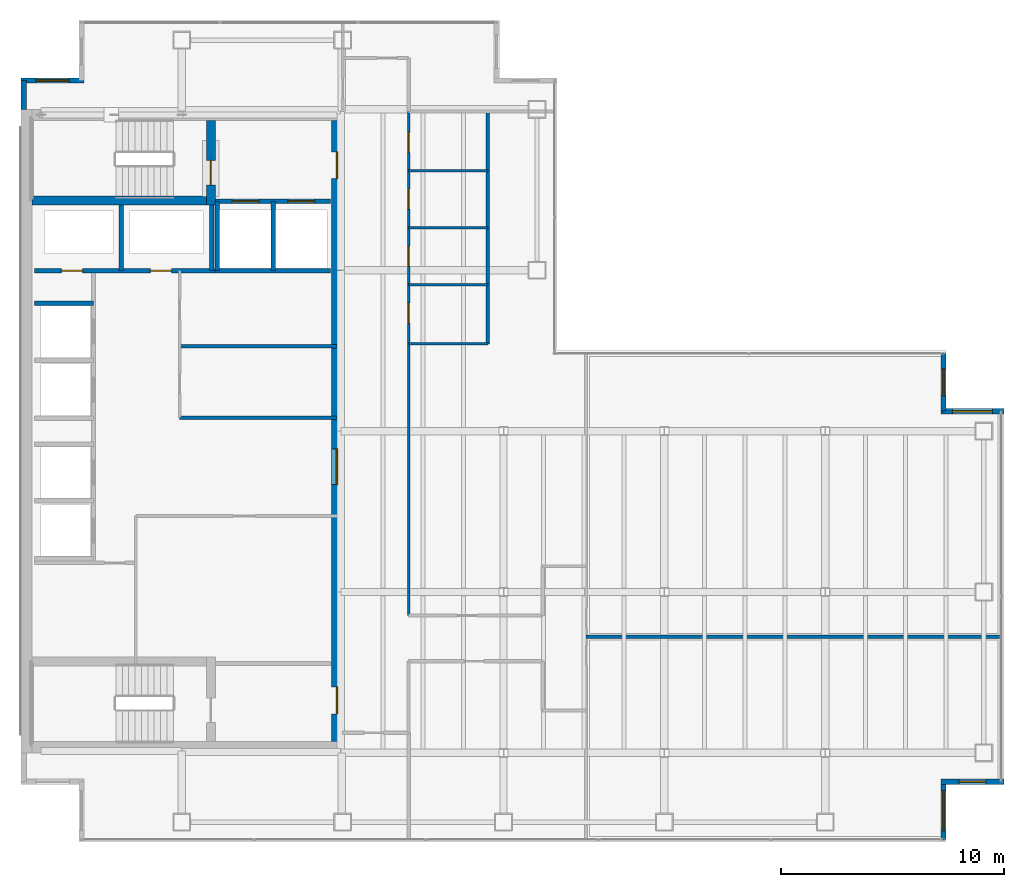
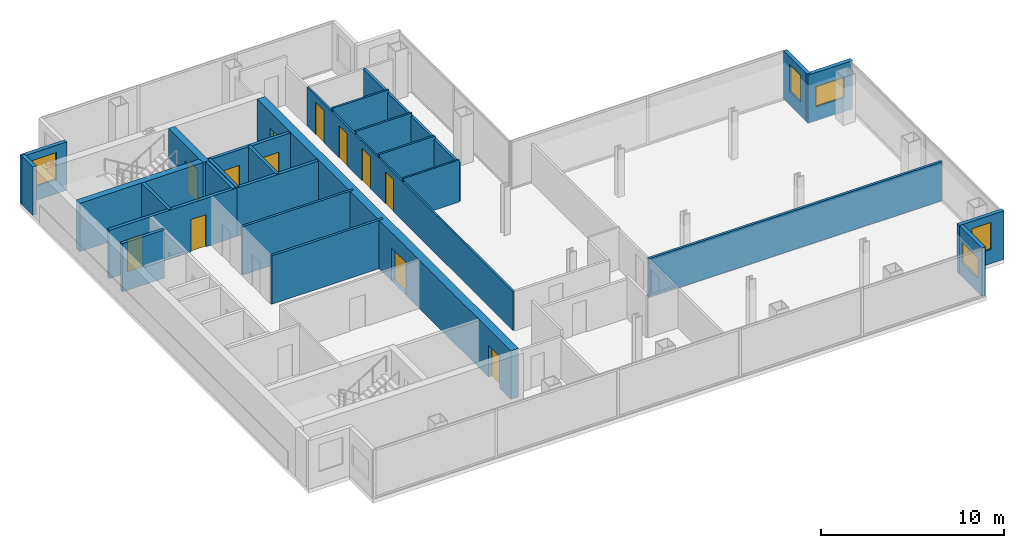
# One storey, part 21 of 23: 26 walls, 12 doors, 5 windows, 17 openings.
"""IFC4 building model written with IfcOpenShell, lengths in metres."""

from ifc_helpers import new_model, si_unit, direction, frame, frame_2d, origin, place, context, subcontext, project, spatial, rectangle, extrude, material, layer, layer_set, type_object, element, fill, save


model = new_model("IFC4")

# Units and contexts
model_context = context("Model", 3, precision=1e-05, world=origin(), true_north=direction((0.0, 1.0)))
body_context = subcontext(model_context, "Body", "Model", "MODEL_VIEW")
ifc_project = project(units=[si_unit("LENGTHUNIT", "METRE"), si_unit("AREAUNIT", "SQUARE_METRE"), si_unit("VOLUMEUNIT", "CUBIC_METRE"), si_unit("PLANEANGLEUNIT", "RADIAN"), si_unit("MASSUNIT", "GRAM", prefix="KILO")], contexts=[model_context])

# Site, building, storey
site_placement = place(None, origin())
site = spatial("IfcSite", under=ifc_project, at=site_placement, CompositionType="ELEMENT")
building_placement = place(site_placement, origin())
building = spatial("IfcBuilding", under=site, at=building_placement, Name="Cobrela Telecom Tower", CompositionType="ELEMENT")
storey_placement = place(building_placement, frame((0.0, 0.0, 197.75)))
storey = spatial("IfcBuildingStorey", under=building, at=storey_placement, Name="L50", CompositionType="ELEMENT", Elevation=197.75)

# Wall, openings, doors
ifc_material_1 = material(Name="Concrete C40/50", Category="concrete")
ifc_layer_1 = layer(ifc_material_1, 0.5)
ifc_layer_set_1 = layer_set([ifc_layer_1], Name="Concrete C40/50")
wall_type_1 = type_object("IfcWallType", Name="WALL-CORE-C40-500", PredefinedType="SHEAR", material=ifc_layer_set_1)
wall_1_placement = place(storey_placement, frame((14.14990234375, 35.5, 0.0), z_axis=(0.0, 0.0, 1.0), x_axis=(0.0, -1.0, 0.0)))
wall_1 = element("IfcWall", 1, at=wall_1_placement, inside=storey, type_object=wall_type_1, Name="L50 East Core Shear Wall", PredefinedType="SHEAR", context=body_context, shape_type="SweptSolid", body=[
    extrude(rectangle(XDim=27.800048828125, YDim=0.5, at=frame_2d((13.89990234375, 0.0))), origin(), (0.0, 0.0, 1.0), 3.239990234375),
])
opening_1_placement = place(wall_1_placement, frame((1.39990234375, 0.0, 0.0)))
opening_1 = element("IfcOpeningElement", 2, at=opening_1_placement, cuts=wall_1, Name="Opening DR-19", PredefinedType="OPENING", context=body_context, shape_type="SweptSolid", body=[
    extrude(rectangle(XDim=1.199951171875, YDim=2.14990234375, at=frame_2d((0.60009765625, 1.074951171875))), frame((0.0, 0.261962890625, 0.0), z_axis=(0.0, -1.0, 0.0), x_axis=(1.0, 0.0, 0.0)), (0.0, 0.0, 1.0), 0.52392578125),
])
opening_2_placement = place(wall_1_placement, frame((25.35009765625, 0.0, 0.0)))
opening_2 = element("IfcOpeningElement", 3, at=opening_2_placement, cuts=wall_1, Name="Opening DR-19", PredefinedType="OPENING", context=body_context, shape_type="SweptSolid", body=[
    extrude(rectangle(XDim=1.199951171875, YDim=2.14990234375, at=frame_2d((0.60009765625, 1.074951171875))), frame((0.0, 0.261962890625, 0.0), z_axis=(0.0, -1.0, 0.0), x_axis=(1.0, 0.0, 0.0)), (0.0, 0.0, 1.0), 0.52392578125),
])
opening_3_placement = place(wall_1_placement, frame((14.699951171875, 0.0, 0.0)))
opening_3 = element("IfcOpeningElement", 4, at=opening_3_placement, cuts=wall_1, Name="Opening DR-51", PredefinedType="OPENING", context=body_context, shape_type="SweptSolid", body=[
    extrude(rectangle(XDim=1.60009765625, YDim=2.199951171875, at=frame_2d((0.800048828125, 1.10009765625))), frame((0.0, 0.261962890625, 0.0), z_axis=(0.0, -1.0, 0.0), x_axis=(1.0, 0.0, 0.0)), (0.0, 0.0, 1.0), 0.52392578125),
])
ifc_material_2 = material(Name="Steel ASTM A36", Category="steel")
door_type_1 = type_object("IfcDoorType", Name="DOOR-FD60-1200", OperationType="SINGLE_SWING_LEFT", PredefinedType="DOOR", material=ifc_material_2)
door_1_placement = place(opening_1_placement, origin())
door_1 = element("IfcDoor", 5, at=door_1_placement, inside=storey, type_object=door_type_1, Name="L50 Door DR-19", OperationType="SINGLE_SWING_LEFT", OverallHeight=2.14990234375, OverallWidth=1.199951171875, PredefinedType="DOOR", context=body_context, shape_type="SweptSolid", body=[
    extrude(rectangle(XDim=1.199951171875, YDim=2.14990234375, at=frame_2d((0.60009765625, 1.074951171875))), frame((0.0, 0.02490234375, 0.0), z_axis=(0.0, -1.0, 0.0), x_axis=(1.0, 0.0, 0.0)), (0.0, 0.0, 1.0), 0.050048828125),
])
fill(opening_1, door_1)
door_2_placement = place(opening_2_placement, origin())
door_2 = element("IfcDoor", 6, at=door_2_placement, inside=storey, type_object=door_type_1, Name="L50 Door DR-19", OperationType="SINGLE_SWING_RIGHT", OverallHeight=2.14990234375, OverallWidth=1.199951171875, PredefinedType="DOOR", context=body_context, shape_type="SweptSolid", body=[
    extrude(rectangle(XDim=1.199951171875, YDim=2.14990234375, at=frame_2d((0.60009765625, 1.074951171875))), frame((0.0, 0.02490234375, 0.0), z_axis=(0.0, -1.0, 0.0), x_axis=(1.0, 0.0, 0.0)), (0.0, 0.0, 1.0), 0.050048828125),
])
fill(opening_2, door_2)
door_type_2 = type_object("IfcDoorType", Name="DOOR-FD60-1600", OperationType="SINGLE_SWING_LEFT", PredefinedType="DOOR", material=ifc_material_2)
door_3_placement = place(opening_3_placement, origin())
door_3 = element("IfcDoor", 7, at=door_3_placement, inside=storey, type_object=door_type_2, Name="L50 Door DR-51", OperationType="DOUBLE_DOOR_SINGLE_SWING", OverallHeight=2.199951171875, OverallWidth=1.60009765625, PredefinedType="DOOR", context=body_context, shape_type="SweptSolid", body=[
    extrude(rectangle(XDim=1.60009765625, YDim=2.199951171875, at=frame_2d((0.800048828125, 1.10009765625))), frame((0.0, 0.02490234375, 0.0), z_axis=(0.0, -1.0, 0.0), x_axis=(1.0, 0.0, 0.0)), (0.0, 0.0, 1.0), 0.050048828125),
])
fill(opening_3, door_3)

# Wall
ifc_layer_2 = layer(ifc_material_1, 0.239990234375)
ifc_layer_set_2 = layer_set([ifc_layer_2], Name="Concrete C40/50")
wall_type_2 = type_object("IfcWallType", Name="WALL-EXT-300", PredefinedType="STANDARD", material=ifc_layer_set_2)
wall_2_placement = place(storey_placement, frame((0.1201171875, 36.0, 0.0), z_axis=(0.0, 0.0, 1.0), x_axis=(0.0, 1.0, 0.0)))
element("IfcWall", 8, at=wall_2_placement, inside=storey, type_object=wall_type_2, Name="L50 Insulated Facade Wall 04", PredefinedType="STANDARD", context=body_context, shape_type="SweptSolid", body=[
    extrude(rectangle(XDim=1.2900390625, YDim=0.239990234375, at=frame_2d((0.64501953125, 0.0))), origin(), (0.0, 0.0, 1.0), 3.239990234375),
])

# Wall, opening, window
wall_3_placement = place(storey_placement, frame((0.0, 37.2900390625, 0.0), z_axis=(0.0, 0.0, 1.0), x_axis=(1.0, 0.0, 0.0)))
wall_3 = element("IfcWall", 9, at=wall_3_placement, inside=storey, type_object=wall_type_2, Name="L50 Insulated Facade Wall 05", PredefinedType="STANDARD", context=body_context, shape_type="SweptSolid", body=[
    extrude(rectangle(XDim=2.830078125, YDim=0.239990234375, at=frame_2d((1.4150390625, 0.0))), origin(), (0.0, 0.0, 1.0), 3.239990234375),
])
opening_4_placement = place(wall_3_placement, frame((0.6650390625, 0.0, 0.949951171875)))
opening_4 = element("IfcOpeningElement", 10, at=opening_4_placement, cuts=wall_3, Name="Opening WN-45", PredefinedType="OPENING", context=body_context, shape_type="SweptSolid", body=[
    extrude(rectangle(XDim=1.5, YDim=1.800048828125, at=frame_2d((0.75, 0.89990234375))), frame((0.0, 0.1318359375, 0.0), z_axis=(0.0, -1.0, 0.0), x_axis=(1.0, 0.0, 0.0)), (0.0, 0.0, 1.0), 0.263916015625),
])
ifc_material_3 = material(Name="Solar-Control Bronze Low-E Glass", Category="glass")
window_type_1 = type_object("IfcWindowType", Name="WIN-MOD-1500", PartitioningType="SINGLE_PANEL", PredefinedType="WINDOW", material=ifc_material_3)
window_1_placement = place(opening_4_placement, origin())
window_1 = element("IfcWindow", 11, at=window_1_placement, inside=storey, type_object=window_type_1, Name="L50 Corner Notch Facade Window 241", OverallHeight=1.800048828125, OverallWidth=1.5, PartitioningType="SINGLE_PANEL", PredefinedType="WINDOW", context=body_context, shape_type="SweptSolid", body=[
    extrude(rectangle(XDim=1.5, YDim=1.800048828125, at=frame_2d((0.75, 0.89990234375))), frame((0.0, 0.030029296875, 0.0), z_axis=(0.0, -1.0, 0.0), x_axis=(1.0, 0.0, 0.0)), (0.0, 0.0, 1.0), 0.06005859375),
])
fill(opening_4, window_1)

wall_4_placement = place(storey_placement, frame((41.2900390625, 25.080078125, 0.0), z_axis=(0.0, 0.0, 1.0), x_axis=(0.0, -1.0, 0.0)))
wall_4 = element("IfcWall", 12, at=wall_4_placement, inside=storey, type_object=wall_type_2, Name="L50 Insulated Facade Wall 12", PredefinedType="STANDARD", context=body_context, shape_type="SweptSolid", body=[
    extrude(rectangle(XDim=2.590087890625, YDim=0.239990234375, at=frame_2d((1.294921875, 0.0))), origin(), (0.0, 0.0, 1.0), 3.239990234375),
])
opening_5_placement = place(wall_4_placement, frame((0.695068359375, 0.0, 0.949951171875)))
opening_5 = element("IfcOpeningElement", 13, at=opening_5_placement, cuts=wall_4, Name="Opening WN-19", PredefinedType="OPENING", context=body_context, shape_type="SweptSolid", body=[
    extrude(rectangle(XDim=1.199951171875, YDim=1.800048828125, at=frame_2d((0.60009765625, 0.89990234375))), frame((0.0, 0.1318359375, 0.0), z_axis=(0.0, -1.0, 0.0), x_axis=(1.0, 0.0, 0.0)), (0.0, 0.0, 1.0), 0.263916015625),
])
window_type_2 = type_object("IfcWindowType", Name="WIN-MOD-1200", PartitioningType="SINGLE_PANEL", PredefinedType="WINDOW", material=ifc_material_3)
window_2_placement = place(opening_5_placement, origin())
window_2 = element("IfcWindow", 14, at=window_2_placement, inside=storey, type_object=window_type_2, Name="L50 Corner Notch Facade Window 245", OverallHeight=1.800048828125, OverallWidth=1.199951171875, PartitioningType="SINGLE_PANEL", PredefinedType="WINDOW", context=body_context, shape_type="SweptSolid", body=[
    extrude(rectangle(XDim=1.199951171875, YDim=1.800048828125, at=frame_2d((0.60009765625, 0.89990234375))), frame((0.0, 0.030029296875, 0.0), z_axis=(0.0, -1.0, 0.0), x_axis=(1.0, 0.0, 0.0)), (0.0, 0.0, 1.0), 0.06005859375),
])
fill(opening_5, window_2)

wall_5_placement = place(storey_placement, frame((41.169921875, 22.489990234375, 0.0), z_axis=(0.0, 0.0, 1.0), x_axis=(1.0, 0.0, 0.0)))
wall_5 = element("IfcWall", 15, at=wall_5_placement, inside=storey, type_object=wall_type_2, Name="L50 Insulated Facade Wall 13", PredefinedType="STANDARD", context=body_context, shape_type="SweptSolid", body=[
    extrude(rectangle(XDim=2.830078125, YDim=0.239990234375, at=frame_2d((1.4150390625, 0.0))), origin(), (0.0, 0.0, 1.0), 3.239990234375),
])
opening_6_placement = place(wall_5_placement, frame((0.514892578125, 0.0, 0.949951171875)))
opening_6 = element("IfcOpeningElement", 16, at=opening_6_placement, cuts=wall_5, Name="Opening WN-27", PredefinedType="OPENING", context=body_context, shape_type="SweptSolid", body=[
    extrude(rectangle(XDim=1.800048828125, YDim=1.35009765625, at=frame_2d((0.89990234375, 0.675048828125))), frame((0.0, 0.1318359375, 0.0), z_axis=(0.0, -1.0, 0.0), x_axis=(1.0, 0.0, 0.0)), (0.0, 0.0, 1.0), 0.263916015625),
])
window_type_3 = type_object("IfcWindowType", Name="WIN-CLER-1800", PartitioningType="SINGLE_PANEL", PredefinedType="WINDOW", material=ifc_material_3)
window_3_placement = place(opening_6_placement, origin())
window_3 = element("IfcWindow", 17, at=window_3_placement, inside=storey, type_object=window_type_3, Name="L50 Corner Notch Facade Window 246", OverallHeight=1.35009765625, OverallWidth=1.800048828125, PartitioningType="SINGLE_PANEL", PredefinedType="WINDOW", context=body_context, shape_type="SweptSolid", body=[
    extrude(rectangle(XDim=1.800048828125, YDim=1.35009765625, at=frame_2d((0.89990234375, 0.675048828125))), frame((0.0, 0.030029296875, 0.0), z_axis=(0.0, -1.0, 0.0), x_axis=(1.0, 0.0, 0.0)), (0.0, 0.0, 1.0), 0.06005859375),
])
fill(opening_6, window_3)

wall_6_placement = place(storey_placement, frame((44.0, 5.909912109375, 0.0), z_axis=(0.0, 0.0, 1.0), x_axis=(-1.0, 0.0, 0.0)))
wall_6 = element("IfcWall", 18, at=wall_6_placement, inside=storey, type_object=wall_type_2, Name="L50 Insulated Facade Wall 15", PredefinedType="STANDARD", context=body_context, shape_type="SweptSolid", body=[
    extrude(rectangle(XDim=2.830078125, YDim=0.239990234375, at=frame_2d((1.4150390625, 0.0))), origin(), (0.0, 0.0, 1.0), 3.239990234375),
])
opening_7_placement = place(wall_6_placement, frame((0.81494140625, 0.0, 0.949951171875)))
opening_7 = element("IfcOpeningElement", 19, at=opening_7_placement, cuts=wall_6, Name="Opening WN-19", PredefinedType="OPENING", context=body_context, shape_type="SweptSolid", body=[
    extrude(rectangle(XDim=1.199951171875, YDim=1.800048828125, at=frame_2d((0.60009765625, 0.89990234375))), frame((0.0, 0.1318359375, 0.0), z_axis=(0.0, -1.0, 0.0), x_axis=(1.0, 0.0, 0.0)), (0.0, 0.0, 1.0), 0.263916015625),
])
window_4_placement = place(opening_7_placement, origin())
window_4 = element("IfcWindow", 20, at=window_4_placement, inside=storey, type_object=window_type_2, Name="L50 Corner Notch Facade Window 247", OverallHeight=1.800048828125, OverallWidth=1.199951171875, PartitioningType="SINGLE_PANEL", PredefinedType="WINDOW", context=body_context, shape_type="SweptSolid", body=[
    extrude(rectangle(XDim=1.199951171875, YDim=1.800048828125, at=frame_2d((0.60009765625, 0.89990234375))), frame((0.0, 0.030029296875, 0.0), z_axis=(0.0, -1.0, 0.0), x_axis=(1.0, 0.0, 0.0)), (0.0, 0.0, 1.0), 0.06005859375),
])
fill(opening_7, window_4)

wall_7_placement = place(storey_placement, frame((41.2900390625, 5.909912109375, 0.0), z_axis=(0.0, 0.0, 1.0), x_axis=(0.0, -1.0, 0.0)))
wall_7 = element("IfcWall", 21, at=wall_7_placement, inside=storey, type_object=wall_type_2, Name="L50 Insulated Facade Wall 16", PredefinedType="STANDARD", context=body_context, shape_type="SweptSolid", body=[
    extrude(rectangle(XDim=2.58984375, YDim=0.239990234375, at=frame_2d((1.294921875, 0.0))), origin(), (0.0, 0.0, 1.0), 3.239990234375),
])
opening_8_placement = place(wall_7_placement, frame((0.39501953125, 0.0, 0.949951171875)))
opening_8 = element("IfcOpeningElement", 22, at=opening_8_placement, cuts=wall_7, Name="Opening WN-27", PredefinedType="OPENING", context=body_context, shape_type="SweptSolid", body=[
    extrude(rectangle(XDim=1.800048828125, YDim=1.35009765625, at=frame_2d((0.89990234375, 0.675048828125))), frame((0.0, 0.1318359375, 0.0), z_axis=(0.0, -1.0, 0.0), x_axis=(1.0, 0.0, 0.0)), (0.0, 0.0, 1.0), 0.263916015625),
])
window_5_placement = place(opening_8_placement, origin())
window_5 = element("IfcWindow", 23, at=window_5_placement, inside=storey, type_object=window_type_3, Name="L50 Corner Notch Facade Window 248", OverallHeight=1.35009765625, OverallWidth=1.800048828125, PartitioningType="SINGLE_PANEL", PredefinedType="WINDOW", context=body_context, shape_type="SweptSolid", body=[
    extrude(rectangle(XDim=1.800048828125, YDim=1.35009765625, at=frame_2d((0.89990234375, 0.675048828125))), frame((0.0, 0.030029296875, 0.0), z_axis=(0.0, -1.0, 0.0), x_axis=(1.0, 0.0, 0.0)), (0.0, 0.0, 1.0), 0.06005859375),
])
fill(opening_8, window_5)

# Wall, openings, doors
ifc_material_4 = material(Name="Fire-Rated Gypsum Plasterboard")
ifc_layer_3 = layer(ifc_material_4, 0.110107421875)
ifc_layer_set_3 = layer_set([ifc_layer_3], Name="Fire-Rated Gypsum Plasterboard")
wall_type_3 = type_object("IfcWallType", Name="WALL-PART-110", PredefinedType="PARTITIONING", material=ifc_layer_set_3)
wall_8_placement = place(storey_placement, frame((17.35009765625, 13.35009765625, 0.0), z_axis=(0.0, 0.0, 1.0), x_axis=(0.0, 1.0, 0.0)))
wall_8 = element("IfcWall", 24, at=wall_8_placement, inside=storey, type_object=wall_type_3, Name="L50 Interior Partition W-C-E2", PredefinedType="PARTITIONING", context=body_context, shape_type="SweptSolid", body=[
    extrude(rectangle(XDim=22.5498046875, YDim=0.110107421875, at=frame_2d((11.27490234375, 0.0))), origin(), (0.0, 0.0, 1.0), 2.613037109375),
])
opening_9_placement = place(wall_8_placement, frame((13.080078125, 0.0, 0.0)))
opening_9 = element("IfcOpeningElement", 25, at=opening_9_placement, cuts=wall_8, Name="Opening DR-41", PredefinedType="OPENING", context=body_context, shape_type="SweptSolid", body=[
    extrude(rectangle(XDim=0.89990234375, YDim=2.14990234375, at=frame_2d((0.449951171875, 1.074951171875))), frame((0.0, 0.06689453125, 0.0), z_axis=(0.0, -1.0, 0.0), x_axis=(1.0, 0.0, 0.0)), (0.0, 0.0, 1.0), 0.134033203125),
])
opening_10_placement = place(wall_8_placement, frame((15.6298828125, 0.0, 0.0)))
opening_10 = element("IfcOpeningElement", 26, at=opening_10_placement, cuts=wall_8, Name="Opening DR-41", PredefinedType="OPENING", context=body_context, shape_type="SweptSolid", body=[
    extrude(rectangle(XDim=0.89990234375, YDim=2.14990234375, at=frame_2d((0.449951171875, 1.074951171875))), frame((0.0, 0.06689453125, 0.0), z_axis=(0.0, -1.0, 0.0), x_axis=(1.0, 0.0, 0.0)), (0.0, 0.0, 1.0), 0.134033203125),
])
opening_11_placement = place(wall_8_placement, frame((18.179931640625, 0.0, 0.0)))
opening_11 = element("IfcOpeningElement", 27, at=opening_11_placement, cuts=wall_8, Name="Opening DR-41", PredefinedType="OPENING", context=body_context, shape_type="SweptSolid", body=[
    extrude(rectangle(XDim=0.89990234375, YDim=2.14990234375, at=frame_2d((0.449951171875, 1.074951171875))), frame((0.0, 0.06689453125, 0.0), z_axis=(0.0, -1.0, 0.0), x_axis=(1.0, 0.0, 0.0)), (0.0, 0.0, 1.0), 0.134033203125),
])
opening_12_placement = place(wall_8_placement, frame((20.719970703125, 0.0, 0.0)))
opening_12 = element("IfcOpeningElement", 28, at=opening_12_placement, cuts=wall_8, Name="Opening DR-41", PredefinedType="OPENING", context=body_context, shape_type="SweptSolid", body=[
    extrude(rectangle(XDim=0.89990234375, YDim=2.14990234375, at=frame_2d((0.449951171875, 1.074951171875))), frame((0.0, 0.06689453125, 0.0), z_axis=(0.0, -1.0, 0.0), x_axis=(1.0, 0.0, 0.0)), (0.0, 0.0, 1.0), 0.134033203125),
])
ifc_material_5 = material(Name="Solid Engineered Oak Timber", Category="wood")
door_type_3 = type_object("IfcDoorType", Name="DOOR-INT-900", OperationType="SINGLE_SWING_LEFT", PredefinedType="DOOR", material=ifc_material_5)
door_4_placement = place(opening_9_placement, origin())
door_4 = element("IfcDoor", 29, at=door_4_placement, inside=storey, type_object=door_type_3, Name="L50 Door DR-41", OperationType="SINGLE_SWING_LEFT", OverallHeight=2.14990234375, OverallWidth=0.89990234375, PredefinedType="DOOR", context=body_context, shape_type="SweptSolid", body=[
    extrude(rectangle(XDim=0.89990234375, YDim=2.14990234375, at=frame_2d((0.449951171875, 1.074951171875))), frame((0.0, 0.02490234375, 0.0), z_axis=(0.0, -1.0, 0.0), x_axis=(1.0, 0.0, 0.0)), (0.0, 0.0, 1.0), 0.050048828125),
])
fill(opening_9, door_4)
door_5_placement = place(opening_10_placement, origin())
door_5 = element("IfcDoor", 30, at=door_5_placement, inside=storey, type_object=door_type_3, Name="L50 Door DR-41", OperationType="SINGLE_SWING_RIGHT", OverallHeight=2.14990234375, OverallWidth=0.89990234375, PredefinedType="DOOR", context=body_context, shape_type="SweptSolid", body=[
    extrude(rectangle(XDim=0.89990234375, YDim=2.14990234375, at=frame_2d((0.449951171875, 1.074951171875))), frame((0.0, 0.02490234375, 0.0), z_axis=(0.0, -1.0, 0.0), x_axis=(1.0, 0.0, 0.0)), (0.0, 0.0, 1.0), 0.050048828125),
])
fill(opening_10, door_5)
door_6_placement = place(opening_11_placement, origin())
door_6 = element("IfcDoor", 31, at=door_6_placement, inside=storey, type_object=door_type_3, Name="L50 Door DR-41", OperationType="SINGLE_SWING_LEFT", OverallHeight=2.14990234375, OverallWidth=0.89990234375, PredefinedType="DOOR", context=body_context, shape_type="SweptSolid", body=[
    extrude(rectangle(XDim=0.89990234375, YDim=2.14990234375, at=frame_2d((0.449951171875, 1.074951171875))), frame((0.0, 0.02490234375, 0.0), z_axis=(0.0, -1.0, 0.0), x_axis=(1.0, 0.0, 0.0)), (0.0, 0.0, 1.0), 0.050048828125),
])
fill(opening_11, door_6)
door_7_placement = place(opening_12_placement, origin())
door_7 = element("IfcDoor", 32, at=door_7_placement, inside=storey, type_object=door_type_3, Name="L50 Door DR-41", OperationType="SINGLE_SWING_RIGHT", OverallHeight=2.14990234375, OverallWidth=0.89990234375, PredefinedType="DOOR", context=body_context, shape_type="SweptSolid", body=[
    extrude(rectangle(XDim=0.89990234375, YDim=2.14990234375, at=frame_2d((0.449951171875, 1.074951171875))), frame((0.0, 0.02490234375, 0.0), z_axis=(0.0, -1.0, 0.0), x_axis=(1.0, 0.0, 0.0)), (0.0, 0.0, 1.0), 0.050048828125),
])
fill(opening_12, door_7)

# Walls
wall_9_placement = place(storey_placement, frame((17.35009765625, 25.5, 0.0), z_axis=(0.0, 0.0, 1.0), x_axis=(1.0, 0.0, 0.0)))
element("IfcWall", 33, at=wall_9_placement, inside=storey, type_object=wall_type_3, Name="L50 Interior Partition W-WC-S", PredefinedType="PARTITIONING", context=body_context, shape_type="SweptSolid", body=[
    extrude(rectangle(XDim=3.5498046875, YDim=0.110107421875, at=frame_2d((1.77490234375, 0.0))), origin(), (0.0, 0.0, 1.0), 2.80810546875),
])
ifc_layer_4 = layer(ifc_material_4, 0.125)
ifc_layer_set_4 = layer_set([ifc_layer_4], Name="Fire-Rated Gypsum Plasterboard")
wall_type_4 = type_object("IfcWallType", Name="WALL-PART-125", PredefinedType="PARTITIONING", material=ifc_layer_set_4)
for number, where, z_axis, x_axis, name in (
    (34, (17.35009765625, 28.14990234375, 0.0), (0.0, 0.0, 1.0), (1.0, 0.0, 0.0), "L50 Interior Partition W-WCD-1"),
    (35, (17.35009765625, 30.699951171875, 0.0), (0.0, 0.0, 1.0), (1.0, 0.0, 0.0), "L50 Interior Partition W-WCD-2"),
    (36, (17.35009765625, 33.25, 0.0), (0.0, 0.0, 1.0), (1.0, 0.0, 0.0), "L50 Interior Partition W-WCD-3"),
):
    element("IfcWall", number, at=place(storey_placement, frame(where, z_axis=z_axis, x_axis=x_axis)), inside=storey, type_object=wall_type_4, Name=name, PredefinedType="PARTITIONING", context=body_context, shape_type="SweptSolid", body=[
        extrude(rectangle(XDim=3.5498046875, YDim=0.125, at=frame_2d((1.77490234375, 0.0))), origin(), (0.0, 0.0, 1.0), 2.80810546875),
    ])
ifc_layer_5 = layer(ifc_material_4, 0.14990234375)
ifc_layer_set_5 = layer_set([ifc_layer_5], Name="Fire-Rated Gypsum Plasterboard")
wall_type_5 = type_object("IfcWallType", Name="WALL-PART-150", PredefinedType="PARTITIONING", material=ifc_layer_set_5)
wall_10_placement = place(storey_placement, frame((7.10009765625, 25.39990234375, 0.0), z_axis=(0.0, 0.0, 1.0), x_axis=(1.0, 0.0, 0.0)))
element("IfcWall", 37, at=wall_10_placement, inside=storey, type_object=wall_type_5, Name="L50 Interior Partition CW-RECL-H", PredefinedType="PARTITIONING", context=body_context, shape_type="SweptSolid", body=[
    extrude(rectangle(XDim=7.0498046875, YDim=0.14990234375, at=frame_2d((3.52490234375, 0.0))), origin(), (0.0, 0.0, 1.0), 3.239990234375),
])
wall_11_placement = place(storey_placement, frame((25.300048828125, 12.39990234375, 0.0), z_axis=(0.0, 0.0, 1.0), x_axis=(1.0, 0.0, 0.0)))
element("IfcWall", 38, at=wall_11_placement, inside=storey, type_object=wall_type_5, Name="L50 Interior Partition W-FE-H", PredefinedType="PARTITIONING", context=body_context, shape_type="SweptSolid", body=[
    extrude(rectangle(XDim=18.579833984375, YDim=0.14990234375, at=frame_2d((9.2900390625, 0.0))), origin(), (0.0, 0.0, 1.0), 2.613037109375),
])
ifc_layer_6 = layer(ifc_material_4, 0.159912109375)
ifc_layer_set_6 = layer_set([ifc_layer_6], Name="Fire-Rated Gypsum Plasterboard")
wall_type_6 = type_object("IfcWallType", Name="WALL-PART-160", PredefinedType="PARTITIONING", material=ifc_layer_set_6)
wall_12_placement = place(storey_placement, frame((7.10009765625, 22.199951171875, 0.0), z_axis=(0.0, 0.0, 1.0), x_axis=(1.0, 0.0, 0.0)))
element("IfcWall", 39, at=wall_12_placement, inside=storey, type_object=wall_type_6, Name="L50 Interior Partition CW-RECL-S", PredefinedType="PARTITIONING", context=body_context, shape_type="SweptSolid", body=[
    extrude(rectangle(XDim=7.0498046875, YDim=0.159912109375, at=frame_2d((3.52490234375, 0.0))), origin(), (0.0, 0.0, 1.0), 3.239990234375),
])
wall_13_placement = place(storey_placement, frame((20.89990234375, 25.5, 0.0), z_axis=(0.0, 0.0, 1.0), x_axis=(0.0, 1.0, 0.0)))
element("IfcWall", 40, at=wall_13_placement, inside=storey, type_object=wall_type_6, Name="L50 Interior Partition W-WC-E", PredefinedType="PARTITIONING", context=body_context, shape_type="SweptSolid", body=[
    extrude(rectangle(XDim=10.39990234375, YDim=0.159912109375, at=frame_2d((5.199951171875, 0.0))), origin(), (0.0, 0.0, 1.0), 2.613037109375),
])

# Wall, openings, doors
ifc_layer_7 = layer(ifc_material_4, 0.199951171875)
ifc_layer_set_7 = layer_set([ifc_layer_7], Name="Fire-Rated Gypsum Plasterboard")
wall_type_7 = type_object("IfcWallType", Name="WALL-SHAFT-200", PredefinedType="PARTITIONING", material=ifc_layer_set_7)
wall_14_placement = place(storey_placement, frame((8.699951171875, 31.8798828125, 0.0), z_axis=(0.0, 0.0, 1.0), x_axis=(1.0, 0.0, 0.0)))
wall_14 = element("IfcWall", 41, at=wall_14_placement, inside=storey, type_object=wall_type_7, Name="L50 Shaft Enclosure CW-FFL-S", PredefinedType="PARTITIONING", context=body_context, shape_type="SweptSolid", body=[
    extrude(rectangle(XDim=5.150146484375, YDim=0.199951171875, at=frame_2d((2.5751953125, 0.0))), origin(), (0.0, 0.0, 1.0), 3.239990234375),
])
opening_13_placement = place(wall_14_placement, frame((0.75, 0.0, 0.0)))
opening_13 = element("IfcOpeningElement", 42, at=opening_13_placement, cuts=wall_14, Name="Opening LD-2", PredefinedType="OPENING", context=body_context, shape_type="SweptSolid", body=[
    extrude(rectangle(XDim=1.199951171875, YDim=2.199951171875, at=frame_2d((0.60009765625, 1.10009765625))), frame((0.0, 0.11181640625, 0.0), z_axis=(0.0, -1.0, 0.0), x_axis=(1.0, 0.0, 0.0)), (0.0, 0.0, 1.0), 0.223876953125),
])
opening_14_placement = place(wall_14_placement, frame((3.25, 0.0, 0.0)))
opening_14 = element("IfcOpeningElement", 43, at=opening_14_placement, cuts=wall_14, Name="Opening LD-2", PredefinedType="OPENING", context=body_context, shape_type="SweptSolid", body=[
    extrude(rectangle(XDim=1.199951171875, YDim=2.199951171875, at=frame_2d((0.60009765625, 1.10009765625))), frame((0.0, 0.11181640625, 0.0), z_axis=(0.0, -1.0, 0.0), x_axis=(1.0, 0.0, 0.0)), (0.0, 0.0, 1.0), 0.223876953125),
])
door_type_4 = type_object("IfcDoorType", Name="DOOR-LD-FFL", OperationType="SINGLE_SWING_LEFT", PredefinedType="DOOR", material=ifc_material_2)
door_8_placement = place(opening_13_placement, origin())
door_8 = element("IfcDoor", 44, at=door_8_placement, inside=storey, type_object=door_type_4, Name="L50 Lift Landing Door LD-2", OperationType="DOUBLE_DOOR_SLIDING", OverallHeight=2.199951171875, OverallWidth=1.199951171875, PredefinedType="DOOR", context=body_context, shape_type="SweptSolid", body=[
    extrude(rectangle(XDim=1.199951171875, YDim=2.199951171875, at=frame_2d((0.60009765625, 1.10009765625))), frame((0.0, 0.02490234375, 0.0), z_axis=(0.0, -1.0, 0.0), x_axis=(1.0, 0.0, 0.0)), (0.0, 0.0, 1.0), 0.050048828125),
])
fill(opening_13, door_8)
door_9_placement = place(opening_14_placement, origin())
door_9 = element("IfcDoor", 45, at=door_9_placement, inside=storey, type_object=door_type_4, Name="L50 Lift Landing Door LD-2", OperationType="DOUBLE_DOOR_SLIDING", OverallHeight=2.199951171875, OverallWidth=1.199951171875, PredefinedType="DOOR", context=body_context, shape_type="SweptSolid", body=[
    extrude(rectangle(XDim=1.199951171875, YDim=2.199951171875, at=frame_2d((0.60009765625, 1.10009765625))), frame((0.0, 0.02490234375, 0.0), z_axis=(0.0, -1.0, 0.0), x_axis=(1.0, 0.0, 0.0)), (0.0, 0.0, 1.0), 0.050048828125),
])
fill(opening_14, door_9)

# Walls
wall_15_placement = place(storey_placement, frame((8.699951171875, 28.780029296875, 0.0), z_axis=(0.0, 0.0, 1.0), x_axis=(1.0, 0.0, 0.0)))
element("IfcWall", 46, at=wall_15_placement, inside=storey, type_object=wall_type_7, Name="L50 Shaft Enclosure CW-FFL-S2", PredefinedType="PARTITIONING", context=body_context, shape_type="SweptSolid", body=[
    extrude(rectangle(XDim=5.150146484375, YDim=0.199951171875, at=frame_2d((2.5751953125, 0.0))), origin(), (0.0, 0.0, 1.0), 3.239990234375),
])
for number, where, z_axis, x_axis, name in (
    (47, (8.780029296875, 28.780029296875, 0.0), (0.0, 0.0, 1.0), (0.0, 1.0, 0.0), "L50 Shaft Enclosure CW-FFL-W"),
    (48, (11.300048828125, 28.780029296875, 0.0), (0.0, 0.0, 1.0), (0.0, 1.0, 0.0), "L50 Shaft Enclosure CW-FFL-M"),
):
    element("IfcWall", number, at=place(storey_placement, frame(where, z_axis=z_axis, x_axis=x_axis)), inside=storey, type_object=wall_type_7, Name=name, PredefinedType="PARTITIONING", context=body_context, shape_type="SweptSolid", body=[
        extrude(rectangle(XDim=3.099853515625, YDim=0.199951171875, at=frame_2d((1.5498046875, 0.0))), origin(), (0.0, 0.0, 1.0), 3.239990234375),
    ])

# Wall, openings, doors
wall_16_placement = place(storey_placement, frame((0.60009765625, 28.780029296875, 0.0), z_axis=(0.0, 0.0, 1.0), x_axis=(1.0, 0.0, 0.0)))
wall_16 = element("IfcWall", 49, at=wall_16_placement, inside=storey, type_object=wall_type_7, Name="L50 Shaft Enclosure CW-RIS-S", PredefinedType="PARTITIONING", context=body_context, shape_type="SweptSolid", body=[
    extrude(rectangle(XDim=8.179931640625, YDim=0.199951171875, at=frame_2d((4.08984375, 0.0))), origin(), (0.0, 0.0, 1.0), 3.239990234375),
])
opening_15_placement = place(wall_16_placement, frame((1.2099609375, 0.0, 0.0)))
opening_15 = element("IfcOpeningElement", 50, at=opening_15_placement, cuts=wall_16, Name="Opening DR-65", PredefinedType="OPENING", context=body_context, shape_type="SweptSolid", body=[
    extrude(rectangle(XDim=0.949951171875, YDim=2.14990234375, at=frame_2d((0.47509765625, 1.074951171875))), frame((0.0, 0.11181640625, 0.0), z_axis=(0.0, -1.0, 0.0), x_axis=(1.0, 0.0, 0.0)), (0.0, 0.0, 1.0), 0.223876953125),
])
opening_16_placement = place(wall_16_placement, frame((5.18994140625, 0.0, 0.0)))
opening_16 = element("IfcOpeningElement", 51, at=opening_16_placement, cuts=wall_16, Name="Opening DR-65", PredefinedType="OPENING", context=body_context, shape_type="SweptSolid", body=[
    extrude(rectangle(XDim=0.949951171875, YDim=2.14990234375, at=frame_2d((0.47509765625, 1.074951171875))), frame((0.0, 0.11181640625, 0.0), z_axis=(0.0, -1.0, 0.0), x_axis=(1.0, 0.0, 0.0)), (0.0, 0.0, 1.0), 0.223876953125),
])
door_type_5 = type_object("IfcDoorType", Name="DOOR-FD60-950", OperationType="SINGLE_SWING_LEFT", PredefinedType="DOOR", material=ifc_material_2)
door_10_placement = place(opening_15_placement, origin())
door_10 = element("IfcDoor", 52, at=door_10_placement, inside=storey, type_object=door_type_5, Name="L50 Door DR-65", OperationType="SINGLE_SWING_LEFT", OverallHeight=2.14990234375, OverallWidth=0.949951171875, PredefinedType="DOOR", context=body_context, shape_type="SweptSolid", body=[
    extrude(rectangle(XDim=0.949951171875, YDim=2.14990234375, at=frame_2d((0.47509765625, 1.074951171875))), frame((0.0, 0.02490234375, 0.0), z_axis=(0.0, -1.0, 0.0), x_axis=(1.0, 0.0, 0.0)), (0.0, 0.0, 1.0), 0.050048828125),
])
fill(opening_15, door_10)
door_11_placement = place(opening_16_placement, origin())
door_11 = element("IfcDoor", 53, at=door_11_placement, inside=storey, type_object=door_type_5, Name="L50 Door DR-65", OperationType="SINGLE_SWING_RIGHT", OverallHeight=2.14990234375, OverallWidth=0.949951171875, PredefinedType="DOOR", context=body_context, shape_type="SweptSolid", body=[
    extrude(rectangle(XDim=0.949951171875, YDim=2.14990234375, at=frame_2d((0.47509765625, 1.074951171875))), frame((0.0, 0.02490234375, 0.0), z_axis=(0.0, -1.0, 0.0), x_axis=(1.0, 0.0, 0.0)), (0.0, 0.0, 1.0), 0.050048828125),
])
fill(opening_16, door_11)

# Walls
for number, where, z_axis, x_axis, name in (
    (54, (4.5, 28.780029296875, 0.0), (0.0, 0.0, 1.0), (0.0, 1.0, 0.0), "L50 Shaft Enclosure CW-RIS-M"),
    (55, (8.550048828125, 28.780029296875, 0.0), (0.0, 0.0, 1.0), (0.0, 1.0, 0.0), "L50 Shaft Enclosure CW-RIS-E"),
):
    element("IfcWall", number, at=place(storey_placement, frame(where, z_axis=z_axis, x_axis=x_axis)), inside=storey, type_object=wall_type_7, Name=name, PredefinedType="PARTITIONING", context=body_context, shape_type="SweptSolid", body=[
        extrude(rectangle(XDim=2.93994140625, YDim=0.199951171875, at=frame_2d((1.469970703125, 0.0))), origin(), (0.0, 0.0, 1.0), 3.239990234375),
    ])
wall_17_placement = place(storey_placement, frame((0.60009765625, 27.320068359375, 0.0), z_axis=(0.0, 0.0, 1.0), x_axis=(1.0, 0.0, 0.0)))
element("IfcWall", 56, at=wall_17_placement, inside=storey, type_object=wall_type_7, Name="L50 Shaft Enclosure CW-PLH-TOP", PredefinedType="PARTITIONING", context=body_context, shape_type="SweptSolid", body=[
    extrude(rectangle(XDim=2.64990234375, YDim=0.199951171875, at=frame_2d((1.324951171875, 0.0))), origin(), (0.0, 0.0, 1.0), 3.239990234375),
])
ifc_layer_8 = layer(ifc_material_1, 0.39990234375)
ifc_layer_set_8 = layer_set([ifc_layer_8], Name="Concrete C40/50")
wall_type_8 = type_object("IfcWallType", Name="WALL-SHAFT-C40-400", PredefinedType="SHEAR", material=ifc_layer_set_8)
wall_18_placement = place(storey_placement, frame((0.5, 31.919921875, 0.0), z_axis=(0.0, 0.0, 1.0), x_axis=(1.0, 0.0, 0.0)))
element("IfcWall", 57, at=wall_18_placement, inside=storey, type_object=wall_type_8, Name="L50 North Stair Shear Wall", PredefinedType="SHEAR", context=body_context, shape_type="SweptSolid", body=[
    extrude(rectangle(XDim=7.800048828125, YDim=0.39990234375, at=frame_2d((3.89990234375, 0.0))), origin(), (0.0, 0.0, 1.0), 3.239990234375),
])

# Wall, opening, door
wall_19_placement = place(storey_placement, frame((8.5, 31.719970703125, 0.0), z_axis=(0.0, 0.0, 1.0), x_axis=(0.0, 1.0, 0.0)))
wall_19 = element("IfcWall", 58, at=wall_19_placement, inside=storey, type_object=wall_type_8, Name="L50 North Stair Lobby Shear Wall", PredefinedType="SHEAR", context=body_context, shape_type="SweptSolid", body=[
    extrude(rectangle(XDim=3.780029296875, YDim=0.39990234375, at=frame_2d((1.89013671875, 0.0))), origin(), (0.0, 0.0, 1.0), 3.239990234375),
])
opening_17_placement = place(wall_19_placement, frame((0.89990234375, 0.0, 0.0)))
opening_17 = element("IfcOpeningElement", 59, at=opening_17_placement, cuts=wall_19, Name="Opening DR-59", PredefinedType="OPENING", context=body_context, shape_type="SweptSolid", body=[
    extrude(rectangle(XDim=1.10009765625, YDim=2.14990234375, at=frame_2d((0.550048828125, 1.074951171875))), frame((0.0, 0.2119140625, 0.0), z_axis=(0.0, -1.0, 0.0), x_axis=(1.0, 0.0, 0.0)), (0.0, 0.0, 1.0), 0.423828125),
])
door_type_6 = type_object("IfcDoorType", Name="DOOR-FD60-1100", OperationType="SINGLE_SWING_LEFT", PredefinedType="DOOR", material=ifc_material_2)
door_12_placement = place(opening_17_placement, origin())
door_12 = element("IfcDoor", 60, at=door_12_placement, inside=storey, type_object=door_type_6, Name="L50 Door DR-59", OperationType="SINGLE_SWING_RIGHT", OverallHeight=2.14990234375, OverallWidth=1.10009765625, PredefinedType="DOOR", context=body_context, shape_type="SweptSolid", body=[
    extrude(rectangle(XDim=1.10009765625, YDim=2.14990234375, at=frame_2d((0.550048828125, 1.074951171875))), frame((0.0, 0.02490234375, 0.0), z_axis=(0.0, -1.0, 0.0), x_axis=(1.0, 0.0, 0.0)), (0.0, 0.0, 1.0), 0.050048828125),
])
fill(opening_17, door_12)

save(model, "model.ifc")
